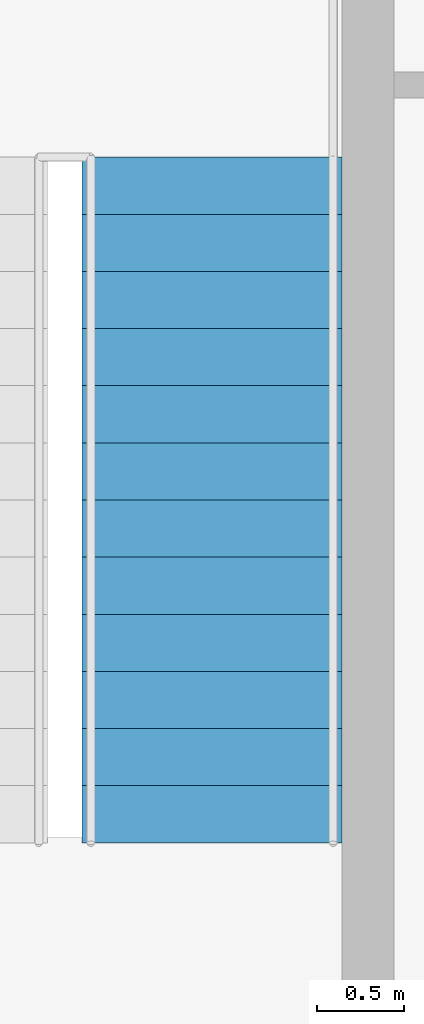
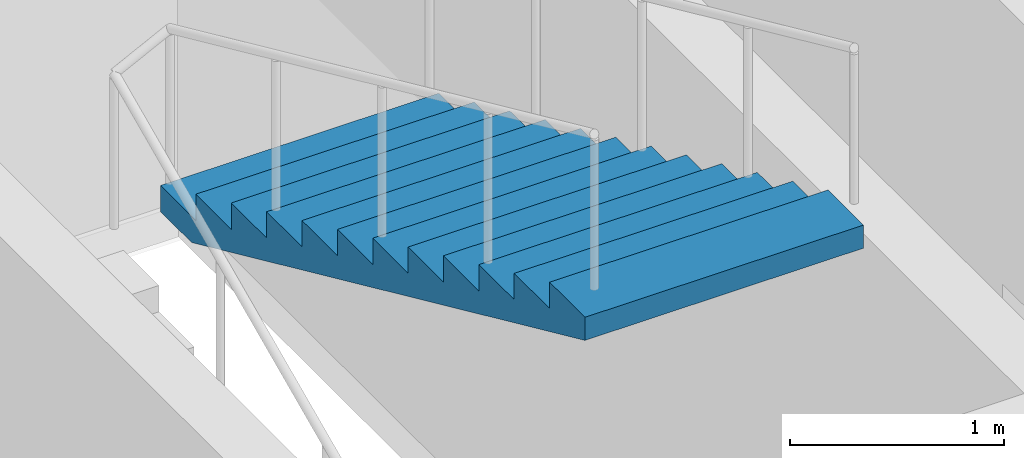
# One storey, part 10 of 11: 1 stair flight, 1 element without a shape of its own.
"""IFC4 building model written with IfcOpenShell, lengths in metres."""

from ifc_helpers import new_model, si_unit, direction, frame, origin, place, context, subcontext, project, spatial, polygons, material, type_object, element, aggregate, save


model = new_model("IFC4")

# Units and contexts
model_context = context("Model", 3, precision=1e-05, world=origin(), true_north=direction((0.0, 1.0)))
body_context = subcontext(model_context, "Body", "Model", "MODEL_VIEW")
ifc_project = project(units=[si_unit("LENGTHUNIT", "METRE"), si_unit("AREAUNIT", "SQUARE_METRE"), si_unit("VOLUMEUNIT", "CUBIC_METRE"), si_unit("PLANEANGLEUNIT", "RADIAN"), si_unit("MASSUNIT", "GRAM", prefix="KILO")], contexts=[model_context])

# Site, building, storey
site_placement = place(None, origin())
site = spatial("IfcSite", under=ifc_project, at=site_placement, CompositionType="ELEMENT")
building_placement = place(site_placement, origin())
building = spatial("IfcBuilding", under=site, at=building_placement, Name="Njiva Tower", CompositionType="ELEMENT")
storey_placement = place(building_placement, frame((0.0, 0.0, 147.6)))
storey = spatial("IfcBuildingStorey", under=building, at=storey_placement, Name="L31", CompositionType="ELEMENT", Elevation=147.6)

# Stair, stair flight
ifc_material = material(Name="Concrete C40/50", Category="concrete")
stair_type = type_object("IfcStairType", Name="ST4 Exit stair 1500", PredefinedType="HALF_TURN_STAIR", material=ifc_material)
stair_placement = place(storey_placement, origin())
stair = element("IfcStair", 1, at=stair_placement, inside=storey, type_object=stair_type, Name="Stair B", PredefinedType="HALF_TURN_STAIR")
stair_flight_type = type_object("IfcStairFlightType", Name="FL4 Stair flight 1500", PredefinedType="STRAIGHT", material=ifc_material)
stair_flight_placement = place(storey_placement, frame((13.45, 15.06, 1.95), z_axis=(0.0, 0.0, 1.0), x_axis=(0.0, -1.0, 0.0)))
stair_flight = element("IfcStairFlight", 2, at=stair_flight_placement, type_object=stair_flight_type, Name="ST-B flight 2", NumberOfRisers=13, NumberOfTreads=12, PredefinedType="STRAIGHT", RiserHeight=0.15, TreadLength=0.33, context=body_context, shape_type="Tessellation", body=[
    polygons([(0.0, 0.75, 0.0), (0.0, 0.375, 0.0), (0.0, 0.0, 0.0), (0.0, -0.375, 0.0), (0.0, -0.75, 0.0), (0.0, 0.75, 0.15), (0.0, 0.375, 0.15), (0.0, 0.0, 0.15), (0.0, -0.375, 0.15), (0.0, -0.75, 0.15), (0.33, 0.75, 0.15), (0.33, 0.375, 0.15), (0.33, 0.0, 0.15), (0.33, -0.375, 0.15), (0.33, -0.75, 0.15), (0.33, 0.75, 0.3), (0.33, 0.375, 0.3), (0.33, 0.0, 0.3), (0.33, -0.375, 0.3), (0.33, -0.75, 0.3), (0.66, 0.75, 0.3), (0.66, 0.375, 0.3), (0.66, 0.0, 0.3), (0.66, -0.375, 0.3), (0.66, -0.75, 0.3), (0.66, 0.75, 0.45), (0.66, 0.375, 0.45), (0.66, 0.0, 0.45), (0.66, -0.375, 0.45), (0.66, -0.75, 0.45), (0.99, 0.75, 0.45), (0.99, 0.375, 0.45), (0.99, 0.0, 0.45), (0.99, -0.375, 0.45), (0.99, -0.75, 0.45), (0.99, 0.75, 0.6), (0.99, 0.375, 0.6), (0.99, 0.0, 0.6), (0.99, -0.375, 0.6), (0.99, -0.75, 0.6), (1.32, 0.75, 0.6), (1.32, 0.375, 0.6), (1.32, 0.0, 0.6), (1.32, -0.375, 0.6), (1.32, -0.75, 0.6), (1.32, 0.75, 0.75), (1.32, 0.375, 0.75), (1.32, 0.0, 0.75), (1.32, -0.375, 0.75), (1.32, -0.75, 0.75), (1.65, 0.75, 0.75), (1.65, 0.375, 0.75), (1.65, 0.0, 0.75), (1.65, -0.375, 0.75), (1.65, -0.75, 0.75), (1.65, 0.75, 0.9), (1.65, 0.375, 0.9), (1.65, 0.0, 0.9), (1.65, -0.375, 0.9), (1.65, -0.75, 0.9), (1.98, 0.75, 0.9), (1.98, 0.375, 0.9), (1.98, 0.0, 0.9), (1.98, -0.375, 0.9), (1.98, -0.75, 0.9), (1.98, 0.75, 1.05), (1.98, 0.375, 1.05), (1.98, 0.0, 1.05), (1.98, -0.375, 1.05), (1.98, -0.75, 1.05), (2.31, 0.75, 1.05), (2.31, 0.375, 1.05), (2.31, 0.0, 1.05), (2.31, -0.375, 1.05), (2.31, -0.75, 1.05), (2.31, 0.75, 1.2), (2.31, 0.375, 1.2), (2.31, 0.0, 1.2), (2.31, -0.375, 1.2), (2.31, -0.75, 1.2), (2.64, 0.75, 1.2), (2.64, 0.375, 1.2), (2.64, 0.0, 1.2), (2.64, -0.375, 1.2), (2.64, -0.75, 1.2), (2.64, 0.75, 1.35), (2.64, 0.375, 1.35), (2.64, 0.0, 1.35), (2.64, -0.375, 1.35), (2.64, -0.75, 1.35), (2.97, 0.75, 1.35), (2.97, 0.375, 1.35), (2.97, 0.0, 1.35), (2.97, -0.375, 1.35), (2.97, -0.75, 1.35), (2.97, 0.75, 1.5), (2.97, 0.375, 1.5), (2.97, 0.0, 1.5), (2.97, -0.375, 1.5), (2.97, -0.75, 1.5), (3.3, 0.75, 1.5), (3.3, 0.375, 1.5), (3.3, 0.0, 1.5), (3.3, -0.375, 1.5), (3.3, -0.75, 1.5), (3.3, 0.75, 1.65), (3.3, 0.375, 1.65), (3.3, 0.0, 1.65), (3.3, -0.375, 1.65), (3.3, -0.75, 1.65), (3.63, 0.75, 1.65), (3.63, 0.375, 1.65), (3.63, 0.0, 1.65), (3.63, -0.375, 1.65), (3.63, -0.75, 1.65), (3.63, 0.75, 1.8), (3.63, 0.375, 1.8), (3.63, 0.0, 1.8), (3.63, -0.375, 1.8), (3.63, -0.75, 1.8), (3.96, 0.75, 1.8), (3.96, 0.375, 1.8), (3.96, 0.0, 1.8), (3.96, -0.375, 1.8), (3.96, -0.75, 1.8), (3.96, 0.75, 1.6682), (3.96, 0.375, 1.6682), (3.96, 0.0, 1.6682), (3.96, -0.375, 1.6682), (3.96, -0.75, 1.6682), (0.29, 0.75, 0.0), (0.29, 0.375, 0.0), (0.29, 0.0, 0.0), (0.29, -0.375, 0.0), (0.29, -0.75, 0.0)], [[[1, 6, 11, 16, 21, 26, 31, 36, 41, 46, 51, 56, 61, 66, 71, 76, 81, 86, 91, 96, 101, 106, 111, 116, 121, 126, 131]], [[135, 130, 125, 120, 115, 110, 105, 100, 95, 90, 85, 80, 75, 70, 65, 60, 55, 50, 45, 40, 35, 30, 25, 20, 15, 10, 5]], [[6, 1, 2, 7]], [[7, 2, 3, 8]], [[8, 3, 4, 9]], [[9, 4, 5, 10]], [[11, 6, 7, 12]], [[12, 7, 8, 13]], [[13, 8, 9, 14]], [[14, 9, 10, 15]], [[16, 11, 12, 17]], [[17, 12, 13, 18]], [[18, 13, 14, 19]], [[19, 14, 15, 20]], [[21, 16, 17, 22]], [[22, 17, 18, 23]], [[23, 18, 19, 24]], [[24, 19, 20, 25]], [[26, 21, 22, 27]], [[27, 22, 23, 28]], [[28, 23, 24, 29]], [[29, 24, 25, 30]], [[31, 26, 27, 32]], [[32, 27, 28, 33]], [[33, 28, 29, 34]], [[34, 29, 30, 35]], [[36, 31, 32, 37]], [[37, 32, 33, 38]], [[38, 33, 34, 39]], [[39, 34, 35, 40]], [[41, 36, 37, 42]], [[42, 37, 38, 43]], [[43, 38, 39, 44]], [[44, 39, 40, 45]], [[46, 41, 42, 47]], [[47, 42, 43, 48]], [[48, 43, 44, 49]], [[49, 44, 45, 50]], [[51, 46, 47, 52]], [[52, 47, 48, 53]], [[53, 48, 49, 54]], [[54, 49, 50, 55]], [[56, 51, 52, 57]], [[57, 52, 53, 58]], [[58, 53, 54, 59]], [[59, 54, 55, 60]], [[61, 56, 57, 62]], [[62, 57, 58, 63]], [[63, 58, 59, 64]], [[64, 59, 60, 65]], [[66, 61, 62, 67]], [[67, 62, 63, 68]], [[68, 63, 64, 69]], [[69, 64, 65, 70]], [[71, 66, 67, 72]], [[72, 67, 68, 73]], [[73, 68, 69, 74]], [[74, 69, 70, 75]], [[76, 71, 72, 77]], [[77, 72, 73, 78]], [[78, 73, 74, 79]], [[79, 74, 75, 80]], [[81, 76, 77, 82]], [[82, 77, 78, 83]], [[83, 78, 79, 84]], [[84, 79, 80, 85]], [[86, 81, 82, 87]], [[87, 82, 83, 88]], [[88, 83, 84, 89]], [[89, 84, 85, 90]], [[91, 86, 87, 92]], [[92, 87, 88, 93]], [[93, 88, 89, 94]], [[94, 89, 90, 95]], [[96, 91, 92, 97]], [[97, 92, 93, 98]], [[98, 93, 94, 99]], [[99, 94, 95, 100]], [[101, 96, 97, 102]], [[102, 97, 98, 103]], [[103, 98, 99, 104]], [[104, 99, 100, 105]], [[106, 101, 102, 107]], [[107, 102, 103, 108]], [[108, 103, 104, 109]], [[109, 104, 105, 110]], [[111, 106, 107, 112]], [[112, 107, 108, 113]], [[113, 108, 109, 114]], [[114, 109, 110, 115]], [[116, 111, 112, 117]], [[117, 112, 113, 118]], [[118, 113, 114, 119]], [[119, 114, 115, 120]], [[121, 116, 117, 122]], [[122, 117, 118, 123]], [[123, 118, 119, 124]], [[124, 119, 120, 125]], [[126, 121, 122, 127]], [[127, 122, 123, 128]], [[128, 123, 124, 129]], [[129, 124, 125, 130]], [[131, 126, 127, 132]], [[132, 127, 128, 133]], [[133, 128, 129, 134]], [[134, 129, 130, 135]], [[1, 131, 132, 2]], [[2, 132, 133, 3]], [[3, 133, 134, 4]], [[4, 134, 135, 5]]], closed=True),
])
aggregate(stair, [stair_flight])

save(model, "model.ifc")
